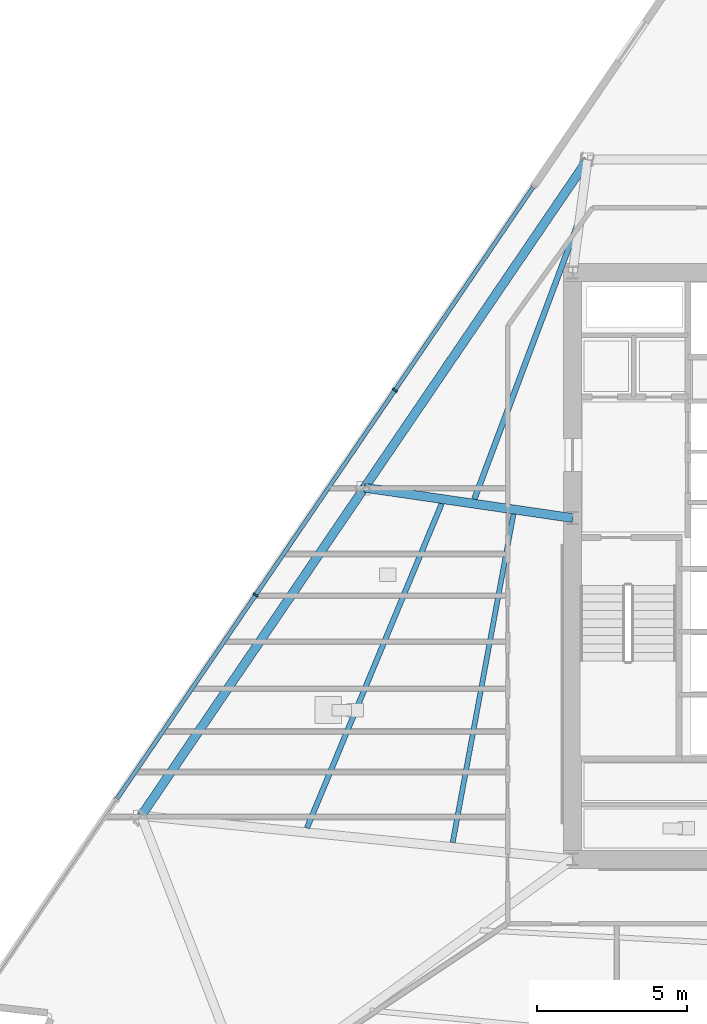
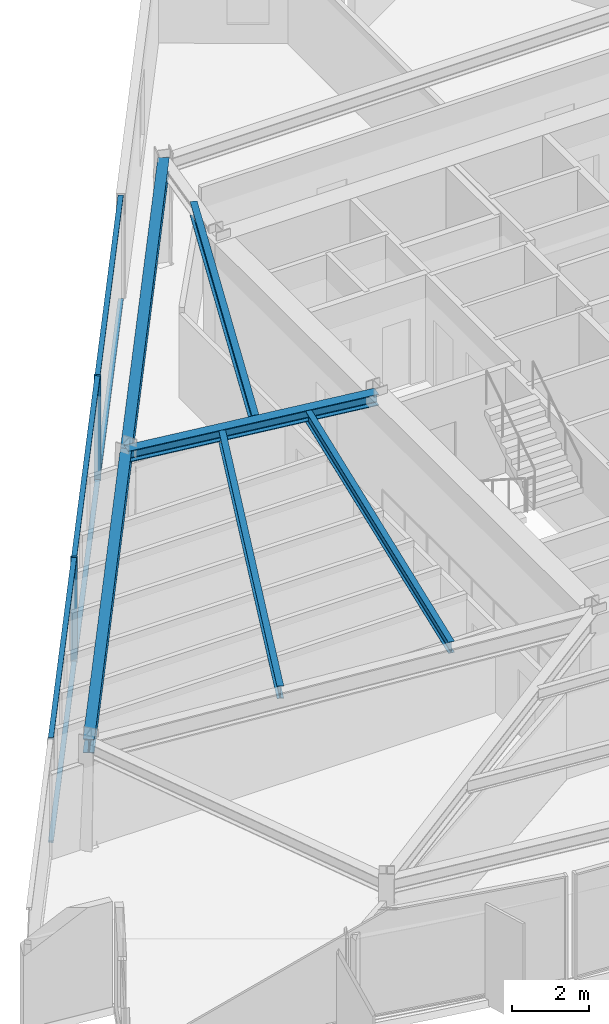
# One storey, part 3 of 15: 8 members, 6 beams, 1 element without a shape of its own.
"""IFC4 building model written with IfcOpenShell, lengths in metres."""

from ifc_helpers import new_model, si_unit, direction, frame, origin, origin_2d, place, context, subcontext, project, spatial, rectangle, i_section, extrude, material, material_profile, profile_set, type_object, element, aggregate, save


model = new_model("IFC4")

# Units and contexts
model_context = context("Model", 3, precision=1e-05, world=origin(), true_north=direction((0.0, 1.0)))
body_context = subcontext(model_context, "Body", "Model", "MODEL_VIEW")
ifc_project = project(units=[si_unit("LENGTHUNIT", "METRE"), si_unit("AREAUNIT", "SQUARE_METRE"), si_unit("VOLUMEUNIT", "CUBIC_METRE"), si_unit("PLANEANGLEUNIT", "RADIAN"), si_unit("MASSUNIT", "GRAM", prefix="KILO")], contexts=[model_context])

# Site, building, storey
site_placement = place(None, origin())
site = spatial("IfcSite", under=ifc_project, at=site_placement, CompositionType="ELEMENT")
building_placement = place(site_placement, origin())
building = spatial("IfcBuilding", under=site, at=building_placement, Name="Savorim Split Tower", CompositionType="ELEMENT")
storey_placement = place(building_placement, frame((0.0, 0.0, 114.89990234375)))
storey = spatial("IfcBuildingStorey", under=building, at=storey_placement, Name="L30", CompositionType="ELEMENT", Elevation=114.89990234375)

# Beams
ifc_material_1 = material(Name="Steel S355", Category="steel")
ifc_material_profile_1 = material_profile(ifc_material_1, i_section(OverallWidth=0.169921875, OverallDepth=0.360107421875, WebThickness=0.008056640625, FlangeThickness=0.0126953125, FilletRadius=0.01806640625, at=origin_2d()), Name="IPE 360")
ifc_profile_set_1 = profile_set([ifc_material_profile_1], Name="Steel S355")
beam_type_1 = type_object("IfcBeamType", Name="BM-JST-IPE360", PredefinedType="JOIST", material=ifc_profile_set_1)
beam_1_placement = place(storey_placement, frame((-9.6767578125, 2.126220703125, 3.170166015625), z_axis=(-0.182046914079, -0.983289845912, 0.0), x_axis=(0.983289845912, -0.182046914079, 0.0)))
element("IfcBeam", 1, at=beam_1_placement, inside=storey, type_object=beam_type_1, Name="L30 Secondary Floor Joist JS-11", PredefinedType="JOIST", context=body_context, shape_type="SweptSolid", body=[
    extrude(i_section(OverallWidth=0.169921875, OverallDepth=0.360107421875, WebThickness=0.008056640625, FlangeThickness=0.0126953125, FilletRadius=0.01806640625, at=origin_2d()), origin(), (0.0, 0.0, 1.0), 11.1484375),
])
ifc_material_profile_2 = material_profile(ifc_material_1, i_section(OverallWidth=0.179931640625, OverallDepth=0.39990234375, WebThickness=0.008544921875, FlangeThickness=0.013427734375, FilletRadius=0.02099609375, at=origin_2d()), Name="IPE 400")
ifc_profile_set_2 = profile_set([ifc_material_profile_2], Name="Steel S355")
beam_type_2 = type_object("IfcBeamType", Name="BM-JST-IPE400", PredefinedType="JOIST", material=ifc_profile_set_2)
beam_2_placement = place(storey_placement, frame((-12.073974609375, 2.47998046875, 3.150146484375), z_axis=(-0.383660402692, -0.923474252703, 0.0), x_axis=(0.923474252703, -0.383660402692, 0.0)))
element("IfcBeam", 2, at=beam_2_placement, inside=storey, type_object=beam_type_2, Name="L30 Secondary Floor Joist JS-10", PredefinedType="JOIST", context=body_context, shape_type="SweptSolid", body=[
    extrude(i_section(OverallWidth=0.179931640625, OverallDepth=0.39990234375, WebThickness=0.008544921875, FlangeThickness=0.013427734375, FilletRadius=0.02099609375, at=origin_2d()), origin(), (0.0, 0.0, 1.0), 11.72900390625),
])
ifc_material_profile_3 = material_profile(ifc_material_1, i_section(OverallWidth=0.18994140625, OverallDepth=0.449951171875, WebThickness=0.009521484375, FlangeThickness=0.0146484375, FilletRadius=0.02099609375, at=origin_2d()), Name="IPE 450")
ifc_profile_set_3 = profile_set([ifc_material_profile_3], Name="Steel S355")
beam_type_3 = type_object("IfcBeamType", Name="BM-JST-IPE450", PredefinedType="JOIST", material=ifc_profile_set_3)
beam_3_placement = place(storey_placement, frame((-7.51611328125, 11.861083984375, 3.125), z_axis=(-0.351728782564, -0.936101951454, 0.0), x_axis=(0.936101951454, -0.351728782564, 0.0)))
element("IfcBeam", 3, at=beam_3_placement, inside=storey, type_object=beam_type_3, Name="L30 Secondary Floor Joist JS-09", PredefinedType="JOIST", context=body_context, shape_type="SweptSolid", body=[
    extrude(i_section(OverallWidth=0.18994140625, OverallDepth=0.449951171875, WebThickness=0.009521484375, FlangeThickness=0.0146484375, FilletRadius=0.02099609375, at=origin_2d()), origin(), (0.0, 0.0, 1.0), 9.85498046875),
])
ifc_material_profile_4 = material_profile(ifc_material_1, i_section(OverallWidth=0.300048828125, OverallDepth=0.360107421875, WebThickness=0.012451171875, FlangeThickness=0.0224609375, FilletRadius=0.027099609375, at=origin_2d()), Name="HEB 360")
ifc_profile_set_4 = profile_set([ifc_material_profile_4], Name="Steel S355")
beam_type_4 = type_object("IfcBeamType", Name="BM-PRI-HEB360", PredefinedType="BEAM", material=ifc_profile_set_4)
beam_4_placement = place(storey_placement, frame((-14.65576171875, 3.0126953125, 3.170166015625), z_axis=(0.989567360823, -0.144070949166, 0.0), x_axis=(0.144070949166, 0.989567360823, 0.0)))
element("IfcBeam", 4, at=beam_4_placement, inside=storey, type_object=beam_type_4, Name="L30 Primary Floor Girder RG-09", PredefinedType="BEAM", context=body_context, shape_type="SweptSolid", body=[
    extrude(i_section(OverallWidth=0.300048828125, OverallDepth=0.360107421875, WebThickness=0.012451171875, FlangeThickness=0.0224609375, FilletRadius=0.027099609375, at=origin_2d()), origin(), (0.0, 0.0, 1.0), 7.029052734375),
])
ifc_material_profile_5 = material_profile(ifc_material_1, i_section(OverallWidth=0.300048828125, OverallDepth=0.43994140625, WebThickness=0.011474609375, FlangeThickness=0.02099609375, FilletRadius=0.027099609375, at=origin_2d()), Name="HEA 450")
ifc_profile_set_5 = profile_set([ifc_material_profile_5], Name="Steel S355")
beam_type_5 = type_object("IfcBeamType", Name="BM-SPN-HEA450", PredefinedType="SPANDREL", material=ifc_profile_set_5)
beam_5_placement = place(storey_placement, frame((-7.19970703125, 13.97265625, 3.130126953125), z_axis=(-0.562479275959, -0.82681138364, 0.0), x_axis=(0.82681138364, -0.562479275959, 0.0)))
element("IfcBeam", 5, at=beam_5_placement, inside=storey, type_object=beam_type_5, Name="L30 Perimeter Spandrel Beam 8", PredefinedType="SPANDREL", context=body_context, shape_type="SweptSolid", body=[
    extrude(i_section(OverallWidth=0.300048828125, OverallDepth=0.43994140625, WebThickness=0.011474609375, FlangeThickness=0.02099609375, FilletRadius=0.027099609375, at=origin_2d()), origin(), (0.0, 0.0, 1.0), 13.255615234375),
])
beam_6_placement = place(storey_placement, frame((-14.65576171875, 3.0126953125, 3.130126953125), z_axis=(-0.562470710604, -0.826817210581, 0.0), x_axis=(0.826817210581, -0.562470710604, 0.0)))
element("IfcBeam", 6, at=beam_6_placement, inside=storey, type_object=beam_type_5, Name="L30 Perimeter Spandrel Beam 9", PredefinedType="SPANDREL", context=body_context, shape_type="SweptSolid", body=[
    extrude(i_section(OverallWidth=0.300048828125, OverallDepth=0.43994140625, WebThickness=0.011474609375, FlangeThickness=0.02099609375, FilletRadius=0.027099609375, at=origin_2d()), origin(), (0.0, 0.0, 1.0), 13.255859375),
])

# Curtain wall, members
ifc_material_2 = material(Name="Dark Ceramic-Fritted Insulated Glass", Category="glass")
curtain_wall_type = type_object("IfcCurtainWallType", Name="CW-TWR-FRIT-A", PredefinedType="NOTDEFINED", material=ifc_material_2)
curtain_wall_placement = place(storey_placement, origin())
curtain_wall = element("IfcCurtainWall", 7, at=curtain_wall_placement, inside=storey, type_object=curtain_wall_type, Name="L30 Curtain Wall CW-L30-WEST", PredefinedType="NOTDEFINED")
ifc_material_3 = material(Name="Charcoal Anodised Aluminium", Category="aluminium")
ifc_material_profile_6 = material_profile(ifc_material_3, rectangle(XDim=0.179931640625, YDim=0.06494140625, at=origin_2d()), Name="ALU-M 180x65")
ifc_profile_set_6 = profile_set([ifc_material_profile_6], Name="Charcoal Anodised Aluminium")
member_type_1 = type_object("IfcMemberType", Name="CWM-180x65", PredefinedType="MULLION", material=ifc_profile_set_6)
member_1_placement = place(storey_placement, frame((-13.636474609375, 6.269287109375, 0.0), z_axis=(0.0, 0.0, 1.0), x_axis=(0.826819959579, -0.562466669628, 0.0)))
member_1 = element("IfcMember", 8, at=member_1_placement, type_object=member_type_1, Name="CW-02 mullion 2", PredefinedType="MULLION", context=body_context, shape_type="SweptSolid", body=[
    extrude(rectangle(XDim=0.179931640625, YDim=0.06494140625, at=origin_2d()), origin(), (0.0, 0.0, 1.0), 3.35009765625),
])
member_2_placement = place(storey_placement, frame((-18.288818359375, -0.570068359375, 0.0), z_axis=(0.0, 0.0, 1.0), x_axis=(0.826819959579, -0.562466669628, 0.0)))
member_2 = element("IfcMember", 9, at=member_2_placement, type_object=member_type_1, Name="CW-02 mullion 3", PredefinedType="MULLION", context=body_context, shape_type="SweptSolid", body=[
    extrude(rectangle(XDim=0.179931640625, YDim=0.06494140625, at=origin_2d()), origin(), (0.0, 0.0, 1.0), 3.35009765625),
])
ifc_material_profile_7 = material_profile(ifc_material_3, rectangle(XDim=0.139892578125, YDim=0.054931640625, at=origin_2d()), Name="ALU-T 140x55")
ifc_profile_set_7 = profile_set([ifc_material_profile_7], Name="Charcoal Anodised Aluminium")
member_type_2 = type_object("IfcMemberType", Name="CWT-140x55", PredefinedType="USERDEFINED", material=ifc_profile_set_7)
member_3_placement = place(storey_placement, frame((-9.0205078125, 13.054443359375, 0.027587890625), z_axis=(-0.562478304433, -0.826812044568, 0.0), x_axis=(0.826812044568, -0.562478304433, 0.0)))
member_3 = element("IfcMember", 10, at=member_3_placement, type_object=member_type_2, Name="CW-02 transom 1.1", ObjectType="TRANSOM", PredefinedType="USERDEFINED", context=body_context, shape_type="SweptSolid", body=[
    extrude(rectangle(XDim=0.139892578125, YDim=0.054931640625, at=origin_2d()), origin(), (0.0, 0.0, 1.0), 8.173828125),
])
member_4_placement = place(storey_placement, frame((-9.0205078125, 13.054443359375, 3.322509765625), z_axis=(-0.562478304433, -0.826812044568, 0.0), x_axis=(0.826812044568, -0.562478304433, 0.0)))
member_4 = element("IfcMember", 11, at=member_4_placement, type_object=member_type_2, Name="CW-02 transom 1.2", ObjectType="TRANSOM", PredefinedType="USERDEFINED", context=body_context, shape_type="SweptSolid", body=[
    extrude(rectangle(XDim=0.139892578125, YDim=0.054931640625, at=origin_2d()), origin(), (0.0, 0.0, 1.0), 8.173828125),
])
member_5_placement = place(storey_placement, frame((-13.65478515625, 6.2421875, 0.027587890625), z_axis=(-0.562461368044, -0.8268235661, 0.0), x_axis=(0.8268235661, -0.562461368044, 0.0)))
member_5 = element("IfcMember", 12, at=member_5_placement, type_object=member_type_2, Name="CW-02 transom 2.1", ObjectType="TRANSOM", PredefinedType="USERDEFINED", context=body_context, shape_type="SweptSolid", body=[
    extrude(rectangle(XDim=0.139892578125, YDim=0.054931640625, at=origin_2d()), origin(), (0.0, 0.0, 1.0), 8.206298828125),
])
member_6_placement = place(storey_placement, frame((-13.65478515625, 6.2421875, 3.322509765625), z_axis=(-0.562461368044, -0.8268235661, 0.0), x_axis=(0.8268235661, -0.562461368044, 0.0)))
member_6 = element("IfcMember", 13, at=member_6_placement, type_object=member_type_2, Name="CW-02 transom 2.2", ObjectType="TRANSOM", PredefinedType="USERDEFINED", context=body_context, shape_type="SweptSolid", body=[
    extrude(rectangle(XDim=0.139892578125, YDim=0.054931640625, at=origin_2d()), origin(), (0.0, 0.0, 1.0), 8.206298828125),
])
member_7_placement = place(storey_placement, frame((-18.30712890625, -0.596923828125, 0.027587890625), z_axis=(-0.562467870631, -0.826819142563, 0.0), x_axis=(0.826819142563, -0.562467870631, 0.0)))
member_7 = element("IfcMember", 14, at=member_7_placement, type_object=member_type_2, Name="CW-02 transom 3.1", ObjectType="TRANSOM", PredefinedType="USERDEFINED", context=body_context, shape_type="SweptSolid", body=[
    extrude(rectangle(XDim=0.139892578125, YDim=0.054931640625, at=origin_2d()), origin(), (0.0, 0.0, 1.0), 8.20654296875),
])
member_8_placement = place(storey_placement, frame((-18.30712890625, -0.596923828125, 3.322509765625), z_axis=(-0.562467870631, -0.826819142563, 0.0), x_axis=(0.826819142563, -0.562467870631, 0.0)))
member_8 = element("IfcMember", 15, at=member_8_placement, type_object=member_type_2, Name="CW-02 transom 3.2", ObjectType="TRANSOM", PredefinedType="USERDEFINED", context=body_context, shape_type="SweptSolid", body=[
    extrude(rectangle(XDim=0.139892578125, YDim=0.054931640625, at=origin_2d()), origin(), (0.0, 0.0, 1.0), 8.20654296875),
])
aggregate(curtain_wall, [member_1, member_2, member_3, member_4, member_5, member_6, member_7, member_8])

save(model, "model.ifc")
